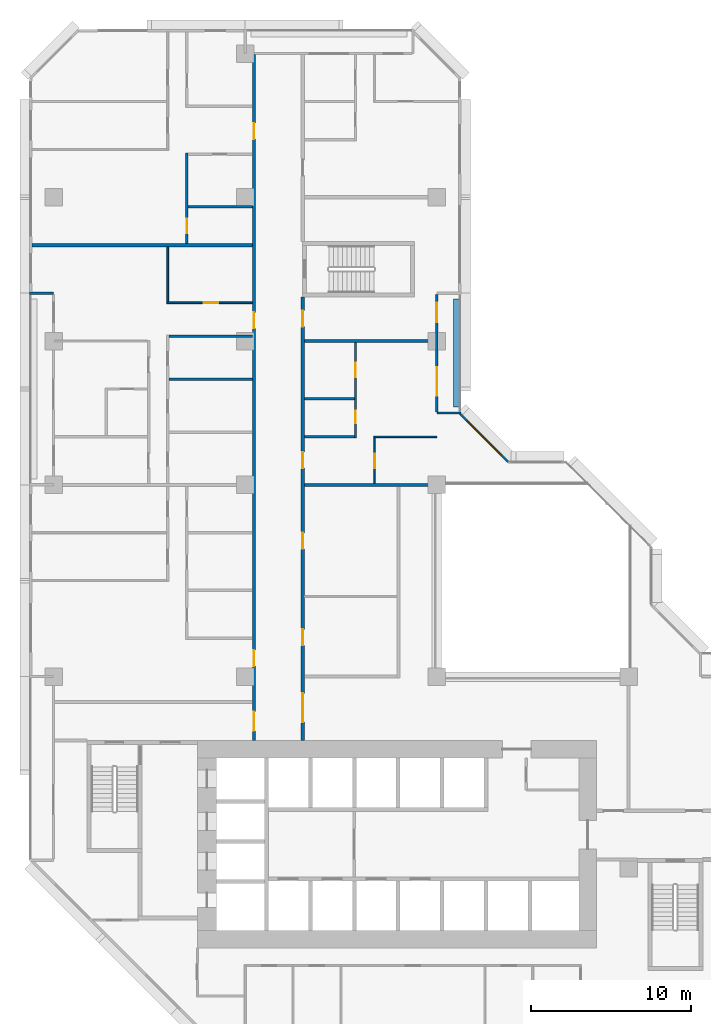
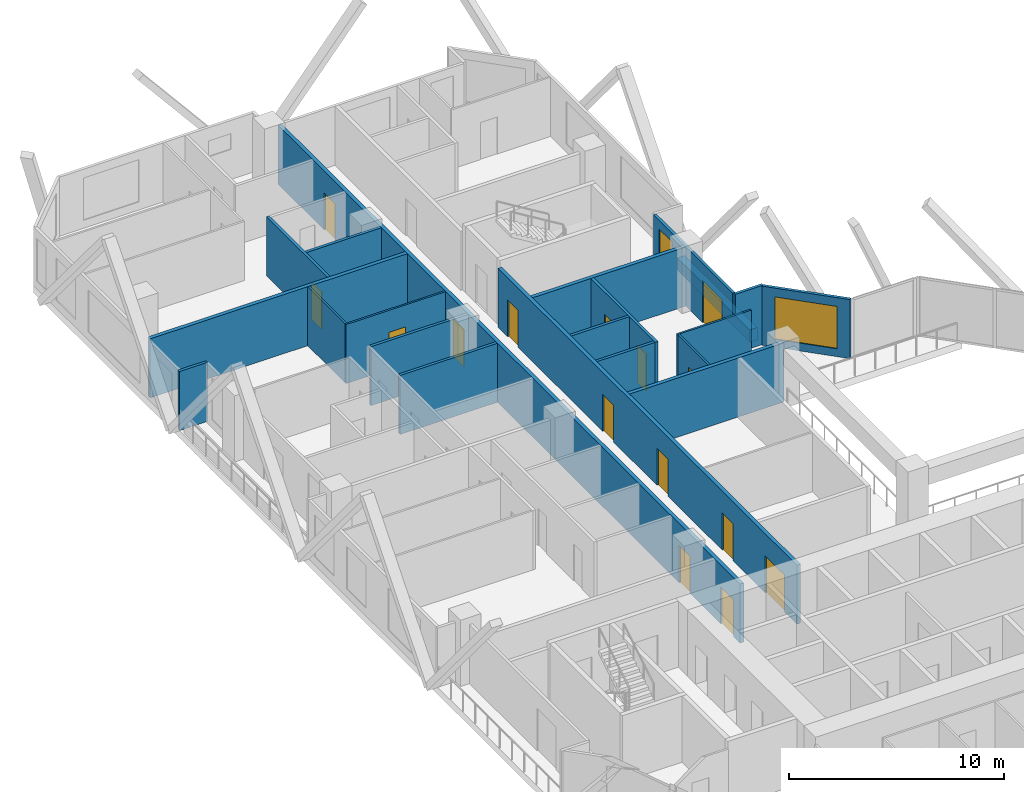
# One storey, part 9 of 15: 21 walls, 15 doors, 2 windows, 17 openings.
"""IFC4 building model written with IfcOpenShell, lengths in metres."""

from ifc_helpers import new_model, si_unit, direction, frame, frame_2d, origin, place, context, subcontext, project, spatial, rectangle, extrude, material, layer, layer_set, type_object, element, fill, save


model = new_model("IFC4")

# Units and contexts
model_context = context("Model", 3, precision=1e-05, world=origin(), true_north=direction((0.0, 1.0)))
body_context = subcontext(model_context, "Body", "Model", "MODEL_VIEW")
ifc_project = project(units=[si_unit("LENGTHUNIT", "METRE"), si_unit("AREAUNIT", "SQUARE_METRE"), si_unit("VOLUMEUNIT", "CUBIC_METRE"), si_unit("PLANEANGLEUNIT", "RADIAN"), si_unit("MASSUNIT", "GRAM", prefix="KILO")], contexts=[model_context])

# Site, building, storey
site_placement = place(None, origin())
site = spatial("IfcSite", under=ifc_project, at=site_placement, CompositionType="ELEMENT")
building_placement = place(site_placement, origin())
building = spatial("IfcBuilding", under=site, at=building_placement, Name="Chenar Terraces", CompositionType="ELEMENT")
storey_placement = place(building_placement, frame((0.0, 0.0, 41.39990234375)))
storey = spatial("IfcBuildingStorey", under=building, at=storey_placement, Name="L07", CompositionType="ELEMENT", Elevation=41.39990234375)

# Wall, openings, doors
ifc_material_1 = material(Name="Gypsum board on steel studs with fire boards", Category="steel")
ifc_layer_1 = layer(ifc_material_1, 0.199951171875)
ifc_layer_set_1 = layer_set([ifc_layer_1], Name="Gypsum board on steel studs with fire boards")
wall_type_1 = type_object("IfcWallType", Name="Corridor wall 200", PredefinedType="PARTITIONING", material=ifc_layer_set_1)
wall_1_placement = place(storey_placement, frame((12.550048828125, 20.0, 0.0), z_axis=(0.0, 0.0, 1.0), x_axis=(0.0, 1.0, 0.0)))
wall_1 = element("IfcWall", 1, at=wall_1_placement, inside=storey, type_object=wall_type_1, Name="Partition L07-036", PredefinedType="PARTITIONING", context=body_context, shape_type="SweptSolid", body=[
    extrude(rectangle(XDim=42.926025390625, YDim=0.199951171875, at=frame_2d((21.462890625, 0.0))), origin(), (0.0, 0.0, 1.0), 3.35009765625),
])
opening_1_placement = place(wall_1_placement, frame((25.800048828125, 0.0, 0.0)))
opening_1 = element("IfcOpeningElement", 2, at=opening_1_placement, cuts=wall_1, Name="Opening DL07-40", PredefinedType="OPENING", context=body_context, shape_type="SweptSolid", body=[
    extrude(rectangle(XDim=1.0, YDim=2.10009765625, at=frame_2d((0.5, 1.050048828125))), frame((0.0, 0.10986328125, 0.0), z_axis=(0.0, -1.0, 0.0), x_axis=(1.0, 0.0, 0.0)), (0.0, 0.0, 1.0), 0.219970703125),
])
opening_2_placement = place(wall_1_placement, frame((37.64990234375, 0.0, 0.0)))
opening_2 = element("IfcOpeningElement", 3, at=opening_2_placement, cuts=wall_1, Name="Opening DL07-46", PredefinedType="OPENING", context=body_context, shape_type="SweptSolid", body=[
    extrude(rectangle(XDim=1.0, YDim=2.10009765625, at=frame_2d((0.5, 1.050048828125))), frame((0.0, 0.10986328125, 0.0), z_axis=(0.0, -1.0, 0.0), x_axis=(1.0, 0.0, 0.0)), (0.0, 0.0, 1.0), 0.219970703125),
])
opening_3_placement = place(wall_1_placement, frame((0.60009765625, 0.0, 0.0)))
opening_3 = element("IfcOpeningElement", 4, at=opening_3_placement, cuts=wall_1, Name="Opening DL07-49", PredefinedType="OPENING", context=body_context, shape_type="SweptSolid", body=[
    extrude(rectangle(XDim=1.199951171875, YDim=2.10009765625, at=frame_2d((0.60009765625, 1.050048828125))), frame((0.0, 0.10986328125, 0.0), z_axis=(0.0, -1.0, 0.0), x_axis=(1.0, 0.0, 0.0)), (0.0, 0.0, 1.0), 0.219970703125),
])
opening_4_placement = place(wall_1_placement, frame((4.64990234375, 0.0, 0.0)))
opening_4 = element("IfcOpeningElement", 5, at=opening_4_placement, cuts=wall_1, Name="Opening DL07-69", PredefinedType="OPENING", context=body_context, shape_type="SweptSolid", body=[
    extrude(rectangle(XDim=1.0, YDim=2.10009765625, at=frame_2d((0.5, 1.050048828125))), frame((0.0, 0.10986328125, 0.0), z_axis=(0.0, -1.0, 0.0), x_axis=(1.0, 0.0, 0.0)), (0.0, 0.0, 1.0), 0.219970703125),
])
ifc_material_2 = material(Name="Steel-framed fire-resisting door leaf", Category="steel")
door_type_1 = type_object("IfcDoorType", Name="Fire door FD30S 1000 x 2100", OperationType="SINGLE_SWING_LEFT", PredefinedType="DOOR", material=ifc_material_2)
door_1_placement = place(opening_1_placement, origin())
door_1 = element("IfcDoor", 6, at=door_1_placement, inside=storey, type_object=door_type_1, Name="Door DL07-40", OperationType="SINGLE_SWING_LEFT", OverallHeight=2.10009765625, OverallWidth=1.0, PredefinedType="DOOR", context=body_context, shape_type="SweptSolid", body=[
    extrude(rectangle(XDim=1.0, YDim=2.10009765625, at=frame_2d((0.5, 1.050048828125))), frame((0.0, 0.02490234375, 0.0), z_axis=(0.0, -1.0, 0.0), x_axis=(1.0, 0.0, 0.0)), (0.0, 0.0, 1.0), 0.050048828125),
])
fill(opening_1, door_1)
door_2_placement = place(opening_2_placement, origin())
door_2 = element("IfcDoor", 7, at=door_2_placement, inside=storey, type_object=door_type_1, Name="Door DL07-46", OperationType="SINGLE_SWING_LEFT", OverallHeight=2.10009765625, OverallWidth=1.0, PredefinedType="DOOR", context=body_context, shape_type="SweptSolid", body=[
    extrude(rectangle(XDim=1.0, YDim=2.10009765625, at=frame_2d((0.5, 1.050048828125))), frame((0.0, 0.02490234375, 0.0), z_axis=(0.0, -1.0, 0.0), x_axis=(1.0, 0.0, 0.0)), (0.0, 0.0, 1.0), 0.050048828125),
])
fill(opening_2, door_2)
door_3_placement = place(opening_4_placement, origin())
door_3 = element("IfcDoor", 8, at=door_3_placement, inside=storey, type_object=door_type_1, Name="Door DL07-69", OperationType="SINGLE_SWING_LEFT", OverallHeight=2.10009765625, OverallWidth=1.0, PredefinedType="DOOR", context=body_context, shape_type="SweptSolid", body=[
    extrude(rectangle(XDim=1.0, YDim=2.10009765625, at=frame_2d((0.5, 1.050048828125))), frame((0.0, 0.02490234375, 0.0), z_axis=(0.0, -1.0, 0.0), x_axis=(1.0, 0.0, 0.0)), (0.0, 0.0, 1.0), 0.050048828125),
])
fill(opening_4, door_3)
ifc_material_3 = material(Name="Steel-framed fire-resisting door leaf", Category="steel")
door_type_2 = type_object("IfcDoorType", Name="Fire door FD30S 1200 x 2100", OperationType="SINGLE_SWING_LEFT", PredefinedType="DOOR", material=ifc_material_3)
door_4_placement = place(opening_3_placement, origin())
door_4 = element("IfcDoor", 9, at=door_4_placement, inside=storey, type_object=door_type_2, Name="Door DL07-49", OperationType="SINGLE_SWING_RIGHT", OverallHeight=2.10009765625, OverallWidth=1.199951171875, PredefinedType="DOOR", context=body_context, shape_type="SweptSolid", body=[
    extrude(rectangle(XDim=1.199951171875, YDim=2.10009765625, at=frame_2d((0.60009765625, 1.050048828125))), frame((0.0, 0.02490234375, 0.0), z_axis=(0.0, -1.0, 0.0), x_axis=(1.0, 0.0, 0.0)), (0.0, 0.0, 1.0), 0.050048828125),
])
fill(opening_3, door_4)

wall_2_placement = place(storey_placement, frame((15.60009765625, 20.0, 0.0), z_axis=(0.0, 0.0, 1.0), x_axis=(0.0, 1.0, 0.0)))
wall_2 = element("IfcWall", 10, at=wall_2_placement, inside=storey, type_object=wall_type_1, Name="Partition L07-038", PredefinedType="PARTITIONING", context=body_context, shape_type="SweptSolid", body=[
    extrude(rectangle(XDim=27.77490234375, YDim=0.199951171875, at=frame_2d((13.887451171875, 0.0))), origin(), (0.0, 0.0, 1.0), 3.35009765625),
])
opening_5_placement = place(wall_2_placement, frame((5.949951171875, 0.0, 0.0)))
opening_5 = element("IfcOpeningElement", 11, at=opening_5_placement, cuts=wall_2, Name="Opening DL07-1", PredefinedType="OPENING", context=body_context, shape_type="SweptSolid", body=[
    extrude(rectangle(XDim=1.0, YDim=2.10009765625, at=frame_2d((0.5, 1.050048828125))), frame((0.0, 0.10986328125, 0.0), z_axis=(0.0, -1.0, 0.0), x_axis=(1.0, 0.0, 0.0)), (0.0, 0.0, 1.0), 0.219970703125),
])
opening_6_placement = place(wall_2_placement, frame((12.0, 0.0, 0.0)))
opening_6 = element("IfcOpeningElement", 12, at=opening_6_placement, cuts=wall_2, Name="Opening DL07-2", PredefinedType="OPENING", context=body_context, shape_type="SweptSolid", body=[
    extrude(rectangle(XDim=1.0, YDim=2.10009765625, at=frame_2d((0.5, 1.050048828125))), frame((0.0, 0.10986328125, 0.0), z_axis=(0.0, -1.0, 0.0), x_axis=(1.0, 0.0, 0.0)), (0.0, 0.0, 1.0), 0.219970703125),
])
opening_7_placement = place(wall_2_placement, frame((17.050048828125, 0.0, 0.0)))
opening_7 = element("IfcOpeningElement", 13, at=opening_7_placement, cuts=wall_2, Name="Opening DL07-28", PredefinedType="OPENING", context=body_context, shape_type="SweptSolid", body=[
    extrude(rectangle(XDim=1.0, YDim=2.10009765625, at=frame_2d((0.5, 1.050048828125))), frame((0.0, 0.10986328125, 0.0), z_axis=(0.0, -1.0, 0.0), x_axis=(1.0, 0.0, 0.0)), (0.0, 0.0, 1.0), 0.219970703125),
])
opening_8_placement = place(wall_2_placement, frame((1.14990234375, 0.0, 0.0)))
opening_8 = element("IfcOpeningElement", 14, at=opening_8_placement, cuts=wall_2, Name="Opening DL07-48", PredefinedType="OPENING", context=body_context, shape_type="SweptSolid", body=[
    extrude(rectangle(XDim=1.800048828125, YDim=2.10009765625, at=frame_2d((0.89990234375, 1.050048828125))), frame((0.0, 0.10986328125, 0.0), z_axis=(0.0, -1.0, 0.0), x_axis=(1.0, 0.0, 0.0)), (0.0, 0.0, 1.0), 0.219970703125),
])
opening_9_placement = place(wall_2_placement, frame((25.89990234375, 0.0, 0.0)))
opening_9 = element("IfcOpeningElement", 15, at=opening_9_placement, cuts=wall_2, Name="Opening DL07-51", PredefinedType="OPENING", context=body_context, shape_type="SweptSolid", body=[
    extrude(rectangle(XDim=1.0, YDim=2.10009765625, at=frame_2d((0.5, 1.050048828125))), frame((0.0, 0.10986328125, 0.0), z_axis=(0.0, -1.0, 0.0), x_axis=(1.0, 0.0, 0.0)), (0.0, 0.0, 1.0), 0.219970703125),
])
ifc_material_4 = material(Name="Steel-framed fire-resisting door leaf", Category="steel")
door_type_3 = type_object("IfcDoorType", Name="Fire door FD60 1000 x 2100", OperationType="SINGLE_SWING_LEFT", PredefinedType="DOOR", material=ifc_material_4)
door_5_placement = place(opening_5_placement, frame((1.0, 0.0, 0.0), z_axis=(0.0, 0.0, 1.0), x_axis=(-1.0, 0.0, 0.0)))
door_5 = element("IfcDoor", 16, at=door_5_placement, inside=storey, type_object=door_type_3, Name="Door DL07-1", OperationType="SINGLE_SWING_LEFT", OverallHeight=2.10009765625, OverallWidth=1.0, PredefinedType="DOOR", context=body_context, shape_type="SweptSolid", body=[
    extrude(rectangle(XDim=1.0, YDim=2.10009765625, at=frame_2d((0.5, 1.050048828125))), frame((0.0, 0.02490234375, 0.0), z_axis=(0.0, -1.0, 0.0), x_axis=(1.0, 0.0, 0.0)), (0.0, 0.0, 1.0), 0.050048828125),
])
fill(opening_5, door_5)
door_6_placement = place(opening_6_placement, frame((1.0, 0.0, 0.0), z_axis=(0.0, 0.0, 1.0), x_axis=(-1.0, 0.0, 0.0)))
door_6 = element("IfcDoor", 17, at=door_6_placement, inside=storey, type_object=door_type_3, Name="Door DL07-2", OperationType="SINGLE_SWING_LEFT", OverallHeight=2.10009765625, OverallWidth=1.0, PredefinedType="DOOR", context=body_context, shape_type="SweptSolid", body=[
    extrude(rectangle(XDim=1.0, YDim=2.10009765625, at=frame_2d((0.5, 1.050048828125))), frame((0.0, 0.02490234375, 0.0), z_axis=(0.0, -1.0, 0.0), x_axis=(1.0, 0.0, 0.0)), (0.0, 0.0, 1.0), 0.050048828125),
])
fill(opening_6, door_6)
door_7_placement = place(opening_7_placement, frame((1.0, 0.0, 0.0), z_axis=(0.0, 0.0, 1.0), x_axis=(-1.0, 0.0, 0.0)))
door_7 = element("IfcDoor", 18, at=door_7_placement, inside=storey, type_object=door_type_3, Name="Door DL07-28", OperationType="SINGLE_SWING_LEFT", OverallHeight=2.10009765625, OverallWidth=1.0, PredefinedType="DOOR", context=body_context, shape_type="SweptSolid", body=[
    extrude(rectangle(XDim=1.0, YDim=2.10009765625, at=frame_2d((0.5, 1.050048828125))), frame((0.0, 0.02490234375, 0.0), z_axis=(0.0, -1.0, 0.0), x_axis=(1.0, 0.0, 0.0)), (0.0, 0.0, 1.0), 0.050048828125),
])
fill(opening_7, door_7)
door_8_placement = place(opening_9_placement, frame((1.0, 0.0, 0.0), z_axis=(0.0, 0.0, 1.0), x_axis=(-1.0, 0.0, 0.0)))
door_8 = element("IfcDoor", 19, at=door_8_placement, inside=storey, type_object=door_type_3, Name="Door DL07-51", OperationType="SINGLE_SWING_RIGHT", OverallHeight=2.10009765625, OverallWidth=1.0, PredefinedType="DOOR", context=body_context, shape_type="SweptSolid", body=[
    extrude(rectangle(XDim=1.0, YDim=2.10009765625, at=frame_2d((0.5, 1.050048828125))), frame((0.0, 0.02490234375, 0.0), z_axis=(0.0, -1.0, 0.0), x_axis=(1.0, 0.0, 0.0)), (0.0, 0.0, 1.0), 0.050048828125),
])
fill(opening_9, door_8)
ifc_material_5 = material(Name="Steel-framed fire-resisting door leaf", Category="steel")
door_type_4 = type_object("IfcDoorType", Name="Fire double door FD60 1800 x 2100", OperationType="DOUBLE_DOOR_SINGLE_SWING", PredefinedType="DOOR", material=ifc_material_5)
door_9_placement = place(opening_8_placement, frame((1.800048828125, 0.0, 0.0), z_axis=(0.0, 0.0, 1.0), x_axis=(-1.0, 0.0, 0.0)))
door_9 = element("IfcDoor", 20, at=door_9_placement, inside=storey, type_object=door_type_4, Name="Door DL07-48", OperationType="DOUBLE_DOOR_SINGLE_SWING", OverallHeight=2.10009765625, OverallWidth=1.800048828125, PredefinedType="DOOR", context=body_context, shape_type="SweptSolid", body=[
    extrude(rectangle(XDim=1.800048828125, YDim=2.10009765625, at=frame_2d((0.89990234375, 1.050048828125))), frame((0.0, 0.02490234375, 0.0), z_axis=(0.0, -1.0, 0.0), x_axis=(1.0, 0.0, 0.0)), (0.0, 0.0, 1.0), 0.050048828125),
])
fill(opening_8, door_9)

# Wall, openings, window, door
ifc_material_6 = material(Name="Aluminium framed glazing", Category="aluminium")
ifc_layer_2 = layer(ifc_material_6, 0.14990234375)
ifc_layer_set_2 = layer_set([ifc_layer_2], Name="Aluminium framed glazing")
wall_type_2 = type_object("IfcWallType", Name="Glazed loggia back wall 150", PredefinedType="SOLIDWALL", material=ifc_layer_set_2)
wall_3_placement = place(storey_placement, frame((24.0, 40.574951171875, 0.0), z_axis=(0.0, 0.0, 1.0), x_axis=(0.0, 1.0, 0.0)))
wall_3 = element("IfcWall", 21, at=wall_3_placement, inside=storey, type_object=wall_type_2, Name="Glazed loggia back wall", PredefinedType="SOLIDWALL", context=body_context, shape_type="SweptSolid", body=[
    extrude(rectangle(XDim=7.35009765625, YDim=0.14990234375, at=frame_2d((3.675048828125, 0.0))), origin(), (0.0, 0.0, 1.0), 3.35009765625),
])
opening_10_placement = place(wall_3_placement, frame((0.987548828125, 0.0, 0.0)))
opening_10 = element("IfcOpeningElement", 22, at=opening_10_placement, cuts=wall_3, Name="Opening DL07-G3", PredefinedType="OPENING", context=body_context, shape_type="SweptSolid", body=[
    extrude(rectangle(XDim=1.800048828125, YDim=2.39990234375, at=frame_2d((0.89990234375, 1.199951171875))), frame((0.0, 0.0849609375, 0.0), z_axis=(0.0, -1.0, 0.0), x_axis=(1.0, 0.0, 0.0)), (0.0, 0.0, 1.0), 0.169921875),
])
opening_11_placement = place(wall_3_placement, frame((5.612548828125, 0.0, 0.449951171875)))
opening_11 = element("IfcOpeningElement", 23, at=opening_11_placement, cuts=wall_3, Name="Opening W120x240", PredefinedType="OPENING", context=body_context, shape_type="SweptSolid", body=[
    extrude(rectangle(XDim=1.199951171875, YDim=2.39990234375, at=frame_2d((0.60009765625, 1.199951171875))), frame((0.0, 0.0849609375, 0.0), z_axis=(0.0, -1.0, 0.0), x_axis=(1.0, 0.0, 0.0)), (0.0, 0.0, 1.0), 0.169921875),
])
ifc_material_7 = material(Name="Low emissivity double glazing, aluminium frame", Category="aluminium")
window_type_1 = type_object("IfcWindowType", Name="Fixed light 1200 x 2400", PartitioningType="SINGLE_PANEL", PredefinedType="WINDOW", material=ifc_material_7)
window_1_placement = place(opening_11_placement, origin())
window_1 = element("IfcWindow", 24, at=window_1_placement, inside=storey, type_object=window_type_1, Name="Window", OverallHeight=2.39990234375, OverallWidth=1.199951171875, PartitioningType="SINGLE_PANEL", PredefinedType="WINDOW", context=body_context, shape_type="SweptSolid", body=[
    extrude(rectangle(XDim=1.199951171875, YDim=2.39990234375, at=frame_2d((0.60009765625, 1.199951171875))), frame((0.0, 0.030029296875, 0.0), z_axis=(0.0, -1.0, 0.0), x_axis=(1.0, 0.0, 0.0)), (0.0, 0.0, 1.0), 0.06005859375),
])
fill(opening_11, window_1)
ifc_material_8 = material(Name="Low emissivity double glazing, aluminium frame", Category="aluminium")
door_type_5 = type_object("IfcDoorType", Name="Loggia glazed double door 1800 x 2400", OperationType="DOUBLE_DOOR_SINGLE_SWING", PredefinedType="DOOR", material=ifc_material_8)
door_10_placement = place(opening_10_placement, frame((1.800048828125, 0.0, 0.0), z_axis=(0.0, 0.0, 1.0), x_axis=(-1.0, 0.0, 0.0)))
door_10 = element("IfcDoor", 25, at=door_10_placement, inside=storey, type_object=door_type_5, Name="Loggia glazed door", OperationType="DOUBLE_DOOR_SINGLE_SWING", OverallHeight=2.39990234375, OverallWidth=1.800048828125, PredefinedType="DOOR", context=body_context, shape_type="SweptSolid", body=[
    extrude(rectangle(XDim=1.800048828125, YDim=2.39990234375, at=frame_2d((0.89990234375, 1.199951171875))), frame((0.0, 0.02490234375, 0.0), z_axis=(0.0, -1.0, 0.0), x_axis=(1.0, 0.0, 0.0)), (0.0, 0.0, 1.0), 0.050048828125),
])
fill(opening_10, door_10)

# Wall, opening, door
ifc_material_9 = material(Name="Gypsum board on steel studs", Category="steel")
ifc_layer_3 = layer(ifc_material_9, 0.10009765625)
ifc_layer_set_3 = layer_set([ifc_layer_3], Name="Gypsum board on steel studs")
wall_type_3 = type_object("IfcWallType", Name="Gypsum partition 100", PredefinedType="PARTITIONING", material=ifc_layer_set_3)
wall_4_placement = place(storey_placement, frame((7.10009765625, 47.39990234375, 0.0), z_axis=(0.0, 0.0, 1.0), x_axis=(1.0, 0.0, 0.0)))
wall_4 = element("IfcWall", 26, at=wall_4_placement, inside=storey, type_object=wall_type_3, Name="Partition L07-015", PredefinedType="PARTITIONING", context=body_context, shape_type="SweptSolid", body=[
    extrude(rectangle(XDim=5.349853515625, YDim=0.10009765625, at=frame_2d((2.6748046875, 0.0))), origin(), (0.0, 0.0, 1.0), 3.35009765625),
])
opening_12_placement = place(wall_4_placement, frame((2.300048828125, 0.0, 0.0)))
opening_12 = element("IfcOpeningElement", 27, at=opening_12_placement, cuts=wall_4, Name="Opening DL07-37", PredefinedType="OPENING", context=body_context, shape_type="SweptSolid", body=[
    extrude(rectangle(XDim=0.89990234375, YDim=2.10009765625, at=frame_2d((0.449951171875, 1.050048828125))), frame((0.0, 0.06005859375, 0.0), z_axis=(0.0, -1.0, 0.0), x_axis=(1.0, 0.0, 0.0)), (0.0, 0.0, 1.0), 0.1201171875),
])
ifc_material_10 = material(Name="Veneered timber door leaf", Category="wood")
door_type_6 = type_object("IfcDoorType", Name="Door 900 x 2100", OperationType="SINGLE_SWING_LEFT", PredefinedType="DOOR", material=ifc_material_10)
door_11_placement = place(opening_12_placement, origin())
door_11 = element("IfcDoor", 28, at=door_11_placement, inside=storey, type_object=door_type_6, Name="Door DL07-37", OperationType="SINGLE_SWING_LEFT", OverallHeight=2.10009765625, OverallWidth=0.89990234375, PredefinedType="DOOR", context=body_context, shape_type="SweptSolid", body=[
    extrude(rectangle(XDim=0.89990234375, YDim=2.10009765625, at=frame_2d((0.449951171875, 1.050048828125))), frame((0.0, 0.02490234375, 0.0), z_axis=(0.0, -1.0, 0.0), x_axis=(1.0, 0.0, 0.0)), (0.0, 0.0, 1.0), 0.050048828125),
])
fill(opening_12, door_11)

# Walls
wall_5_placement = place(storey_placement, frame((7.14990234375, 47.449951171875, 0.0), z_axis=(0.0, 0.0, 1.0), x_axis=(0.0, 1.0, 0.0)))
element("IfcWall", 29, at=wall_5_placement, inside=storey, type_object=wall_type_3, Name="Partition L07-018", PredefinedType="PARTITIONING", context=body_context, shape_type="SweptSolid", body=[
    extrude(rectangle(XDim=3.449951171875, YDim=0.10009765625, at=frame_2d((1.72509765625, 0.0))), origin(), (0.0, 0.0, 1.0), 3.35009765625),
])
wall_6_placement = place(storey_placement, frame((20.050048828125, 39.0, 0.0), z_axis=(0.0, 0.0, 1.0), x_axis=(1.0, 0.0, 0.0)))
element("IfcWall", 30, at=wall_6_placement, inside=storey, type_object=wall_type_3, Name="Partition L07-052", PredefinedType="PARTITIONING", context=body_context, shape_type="SweptSolid", body=[
    extrude(rectangle(XDim=3.949951171875, YDim=0.10009765625, at=frame_2d((1.97509765625, 0.0))), origin(), (0.0, 0.0, 1.0), 3.35009765625),
])

# Wall, opening, door
wall_7_placement = place(storey_placement, frame((20.10009765625, 36.10009765625, 0.0), z_axis=(0.0, 0.0, 1.0), x_axis=(0.0, 1.0, 0.0)))
wall_7 = element("IfcWall", 31, at=wall_7_placement, inside=storey, type_object=wall_type_3, Name="Partition L07-054", PredefinedType="PARTITIONING", context=body_context, shape_type="SweptSolid", body=[
    extrude(rectangle(XDim=2.849853515625, YDim=0.10009765625, at=frame_2d((1.4248046875, 0.0))), origin(), (0.0, 0.0, 1.0), 3.35009765625),
])
opening_13_placement = place(wall_7_placement, frame((0.949951171875, 0.0, 0.0)))
opening_13 = element("IfcOpeningElement", 32, at=opening_13_placement, cuts=wall_7, Name="Opening DL07-26", PredefinedType="OPENING", context=body_context, shape_type="SweptSolid", body=[
    extrude(rectangle(XDim=0.89990234375, YDim=2.10009765625, at=frame_2d((0.449951171875, 1.050048828125))), frame((0.0, 0.06005859375, 0.0), z_axis=(0.0, -1.0, 0.0), x_axis=(1.0, 0.0, 0.0)), (0.0, 0.0, 1.0), 0.1201171875),
])
door_12_placement = place(opening_13_placement, frame((0.89990234375, 0.0, 0.0), z_axis=(0.0, 0.0, 1.0), x_axis=(-1.0, 0.0, 0.0)))
door_12 = element("IfcDoor", 33, at=door_12_placement, inside=storey, type_object=door_type_6, Name="Door DL07-26", OperationType="SINGLE_SWING_LEFT", OverallHeight=2.10009765625, OverallWidth=0.89990234375, PredefinedType="DOOR", context=body_context, shape_type="SweptSolid", body=[
    extrude(rectangle(XDim=0.89990234375, YDim=2.10009765625, at=frame_2d((0.449951171875, 1.050048828125))), frame((0.0, 0.02490234375, 0.0), z_axis=(0.0, -1.0, 0.0), x_axis=(1.0, 0.0, 0.0)), (0.0, 0.0, 1.0), 0.050048828125),
])
fill(opening_13, door_12)

# Walls
ifc_material_11 = material(Name="Terracotta cladding on insulated backing", Category="masonry")
ifc_layer_4 = layer(ifc_material_11, 0.14990234375)
ifc_layer_set_4 = layer_set([ifc_layer_4], Name="Terracotta cladding on insulated backing")
wall_type_4 = type_object("IfcWallType", Name="Loggia return wall 150", PredefinedType="SOLIDWALL", material=ifc_layer_set_4)
for number, where, z_axis, x_axis, name in (
    (34, (25.5, 40.5, 0.0), (0.0, 0.0, 1.0), (-1.0, 0.0, 0.0), "Loggia return wall"),
    (35, (-1.5, 48.0, 0.0), (0.0, 0.0, 1.0), (1.0, 0.0, 0.0), "Loggia return wall"),
):
    element("IfcWall", number, at=place(storey_placement, frame(where, z_axis=z_axis, x_axis=x_axis)), inside=storey, type_object=wall_type_4, Name=name, PredefinedType="SOLIDWALL", context=body_context, shape_type="SweptSolid", body=[
        extrude(rectangle(XDim=1.5, YDim=0.14990234375, at=frame_2d((0.75, 0.0))), origin(), (0.0, 0.0, 1.0), 3.35009765625),
    ])

# Wall, opening, window
ifc_material_12 = material(Name="Terracotta cladding on insulated backing", Category="masonry")
ifc_layer_5 = layer(ifc_material_12, 0.14990234375)
ifc_layer_set_5 = layer_set([ifc_layer_5], Name="Terracotta cladding on insulated backing")
wall_type_5 = type_object("IfcWallType", Name="Terracotta rainscreen wall 150", PredefinedType="SOLIDWALL", material=ifc_layer_set_5)
wall_8_placement = place(storey_placement, frame((28.447021484375, 37.447021484375, 0.0), z_axis=(0.0, 0.0, 1.0), x_axis=(-0.707106781187, 0.707106781187, 0.0)))
wall_8 = element("IfcWall", 36, at=wall_8_placement, inside=storey, type_object=wall_type_5, Name="Terracotta rainscreen wall", PredefinedType="SOLIDWALL", context=body_context, shape_type="SweptSolid", body=[
    extrude(rectangle(XDim=4.24267578125, YDim=0.14990234375, at=frame_2d((2.121337890625, 0.0))), origin(), (0.0, 0.0, 1.0), 3.35009765625),
])
opening_14_placement = place(wall_8_placement, frame((0.621337890625, 0.0, 0.449951171875)))
opening_14 = element("IfcOpeningElement", 37, at=opening_14_placement, cuts=wall_8, Name="Opening W300x240", PredefinedType="OPENING", context=body_context, shape_type="SweptSolid", body=[
    extrude(rectangle(XDim=3.0, YDim=2.39990234375, at=frame_2d((1.5, 1.199951171875))), frame((0.0, 0.0849609375, 0.0), z_axis=(0.0, -1.0, 0.0), x_axis=(1.0, 0.0, 0.0)), (0.0, 0.0, 1.0), 0.169921875),
])
ifc_material_13 = material(Name="Low emissivity double glazing, aluminium frame", Category="aluminium")
window_type_2 = type_object("IfcWindowType", Name="Fixed light 3000 x 2400", PartitioningType="SINGLE_PANEL", PredefinedType="WINDOW", material=ifc_material_13)
window_2_placement = place(opening_14_placement, origin())
window_2 = element("IfcWindow", 38, at=window_2_placement, inside=storey, type_object=window_type_2, Name="Window", OverallHeight=2.39990234375, OverallWidth=3.0, PartitioningType="SINGLE_PANEL", PredefinedType="WINDOW", context=body_context, shape_type="SweptSolid", body=[
    extrude(rectangle(XDim=3.0, YDim=2.39990234375, at=frame_2d((1.5, 1.199951171875))), frame((0.0, 0.030029296875, 0.0), z_axis=(0.0, -1.0, 0.0), x_axis=(1.0, 0.0, 0.0)), (0.0, 0.0, 1.0), 0.06005859375),
])
fill(opening_14, window_2)

# Walls
ifc_material_14 = material(Name="Twin gypsum board on steel studs with mineral wool", Category="steel")
ifc_layer_6 = layer(ifc_material_14, 0.199951171875)
ifc_layer_set_6 = layer_set([ifc_layer_6], Name="Twin gypsum board on steel studs with mineral wool")
wall_type_6 = type_object("IfcWallType", Name="Unit demising wall 200", PredefinedType="PARTITIONING", material=ifc_layer_set_6)
wall_9_placement = place(storey_placement, frame((-1.35009765625, 51.0, 0.0), z_axis=(0.0, 0.0, 1.0), x_axis=(1.0, 0.0, 0.0)))
element("IfcWall", 39, at=wall_9_placement, inside=storey, type_object=wall_type_6, Name="Partition L07-005", PredefinedType="PARTITIONING", context=body_context, shape_type="SweptSolid", body=[
    extrude(rectangle(XDim=13.800048828125, YDim=0.199951171875, at=frame_2d((6.89990234375, 0.0))), origin(), (0.0, 0.0, 1.0), 3.35009765625),
])
wall_10_placement = place(storey_placement, frame((15.699951171875, 36.0, 0.0), z_axis=(0.0, 0.0, 1.0), x_axis=(1.0, 0.0, 0.0)))
element("IfcWall", 40, at=wall_10_placement, inside=storey, type_object=wall_type_6, Name="Partition L07-042", PredefinedType="PARTITIONING", context=body_context, shape_type="SweptSolid", body=[
    extrude(rectangle(XDim=8.300048828125, YDim=0.199951171875, at=frame_2d((4.14990234375, 0.0))), origin(), (0.0, 0.0, 1.0), 3.35009765625),
])
wall_11_placement = place(storey_placement, frame((15.699951171875, 45.0, 0.0), z_axis=(0.0, 0.0, 1.0), x_axis=(1.0, 0.0, 0.0)))
element("IfcWall", 41, at=wall_11_placement, inside=storey, type_object=wall_type_6, Name="Partition L07-045", PredefinedType="PARTITIONING", context=body_context, shape_type="SweptSolid", body=[
    extrude(rectangle(XDim=8.22607421875, YDim=0.199951171875, at=frame_2d((4.113037109375, 0.0))), origin(), (0.0, 0.0, 1.0), 3.35009765625),
])
ifc_material_15 = material(Name="GRP planter trough")
ifc_layer_7 = layer(ifc_material_15, 0.39990234375)
ifc_layer_set_7 = layer_set([ifc_layer_7], Name="GRP planter trough")
wall_type_7 = type_object("IfcWallType", Name="Vertical greenery planter 400", PredefinedType="SOLIDWALL", material=ifc_layer_set_7)
wall_12_placement = place(storey_placement, frame((25.22900390625, 40.875, 0.0), z_axis=(0.0, 0.0, 1.0), x_axis=(0.0, 1.0, 0.0)))
element("IfcWall", 42, at=wall_12_placement, inside=storey, type_object=wall_type_7, Name="Vertical greenery planter", PredefinedType="SOLIDWALL", context=body_context, shape_type="SweptSolid", body=[
    extrude(rectangle(XDim=6.75, YDim=0.39990234375, at=frame_2d((3.375, 0.0))), origin(), (0.0, 0.0, 1.0), 0.7001953125),
])
ifc_material_16 = material(Name="Moisture-resistant gypsum board on steel studs", Category="steel")
ifc_layer_8 = layer(ifc_material_16, 0.14990234375)
ifc_layer_set_8 = layer_set([ifc_layer_8], Name="Moisture-resistant gypsum board on steel studs")
wall_type_8 = type_object("IfcWallType", Name="Wet-room partition 150", PredefinedType="PARTITIONING", material=ifc_layer_set_8)
for number, where, z_axis, x_axis, name in (
    (43, (7.22509765625, 42.60009765625, 0.0), (0.0, 0.0, 1.0), (1.0, 0.0, 0.0), "Partition L07-021"),
    (44, (7.22509765625, 45.300048828125, 0.0), (0.0, 0.0, 1.0), (1.0, 0.0, 0.0), "Partition L07-022"),
):
    element("IfcWall", number, at=place(storey_placement, frame(where, z_axis=z_axis, x_axis=x_axis)), inside=storey, type_object=wall_type_8, Name=name, PredefinedType="PARTITIONING", context=body_context, shape_type="SweptSolid", body=[
        extrude(rectangle(XDim=5.224853515625, YDim=0.14990234375, at=frame_2d((2.6123046875, 0.0))), origin(), (0.0, 0.0, 1.0), 3.35009765625),
    ])

# Wall, opening, door
wall_13_placement = place(storey_placement, frame((8.35009765625, 51.10009765625, 0.0), z_axis=(0.0, 0.0, 1.0), x_axis=(0.0, 1.0, 0.0)))
wall_13 = element("IfcWall", 45, at=wall_13_placement, inside=storey, type_object=wall_type_8, Name="Partition L07-025", PredefinedType="PARTITIONING", context=body_context, shape_type="SweptSolid", body=[
    extrude(rectangle(XDim=5.6748046875, YDim=0.14990234375, at=frame_2d((2.83740234375, 0.0))), origin(), (0.0, 0.0, 1.0), 3.35009765625),
])
opening_15_placement = place(wall_13_placement, frame((0.64990234375, 0.0, 0.0)))
opening_15 = element("IfcOpeningElement", 46, at=opening_15_placement, cuts=wall_13, Name="Opening DL07-44", PredefinedType="OPENING", context=body_context, shape_type="SweptSolid", body=[
    extrude(rectangle(XDim=0.89990234375, YDim=2.10009765625, at=frame_2d((0.449951171875, 1.050048828125))), frame((0.0, 0.0849609375, 0.0), z_axis=(0.0, -1.0, 0.0), x_axis=(1.0, 0.0, 0.0)), (0.0, 0.0, 1.0), 0.169921875),
])
door_13_placement = place(opening_15_placement, frame((0.89990234375, 0.0, 0.0), z_axis=(0.0, 0.0, 1.0), x_axis=(-1.0, 0.0, 0.0)))
door_13 = element("IfcDoor", 47, at=door_13_placement, inside=storey, type_object=door_type_6, Name="Door DL07-44", OperationType="SINGLE_SWING_LEFT", OverallHeight=2.10009765625, OverallWidth=0.89990234375, PredefinedType="DOOR", context=body_context, shape_type="SweptSolid", body=[
    extrude(rectangle(XDim=0.89990234375, YDim=2.10009765625, at=frame_2d((0.449951171875, 1.050048828125))), frame((0.0, 0.02490234375, 0.0), z_axis=(0.0, -1.0, 0.0), x_axis=(1.0, 0.0, 0.0)), (0.0, 0.0, 1.0), 0.050048828125),
])
fill(opening_15, door_13)

# Walls
wall_14_placement = place(storey_placement, frame((8.425048828125, 53.39990234375, 0.0), z_axis=(0.0, 0.0, 1.0), x_axis=(1.0, 0.0, 0.0)))
element("IfcWall", 48, at=wall_14_placement, inside=storey, type_object=wall_type_8, Name="Partition L07-030", PredefinedType="PARTITIONING", context=body_context, shape_type="SweptSolid", body=[
    extrude(rectangle(XDim=4.02490234375, YDim=0.14990234375, at=frame_2d((2.012451171875, 0.0))), origin(), (0.0, 0.0, 1.0), 3.35009765625),
])
for number, where, z_axis, x_axis, name in (
    (49, (15.699951171875, 39.0, 0.0), (0.0, 0.0, 1.0), (1.0, 0.0, 0.0), "Partition L07-043"),
    (50, (15.699951171875, 41.39990234375, 0.0), (0.0, 0.0, 1.0), (1.0, 0.0, 0.0), "Partition L07-044"),
):
    element("IfcWall", number, at=place(storey_placement, frame(where, z_axis=z_axis, x_axis=x_axis)), inside=storey, type_object=wall_type_8, Name=name, PredefinedType="PARTITIONING", context=body_context, shape_type="SweptSolid", body=[
        extrude(rectangle(XDim=3.125, YDim=0.14990234375, at=frame_2d((1.5625, 0.0))), origin(), (0.0, 0.0, 1.0), 3.35009765625),
    ])

# Wall, openings, doors
wall_15_placement = place(storey_placement, frame((18.89990234375, 38.925048828125, 0.0), z_axis=(0.0, 0.0, 1.0), x_axis=(0.0, 1.0, 0.0)))
wall_15 = element("IfcWall", 51, at=wall_15_placement, inside=storey, type_object=wall_type_8, Name="Partition L07-050", PredefinedType="PARTITIONING", context=body_context, shape_type="SweptSolid", body=[
    extrude(rectangle(XDim=5.974853515625, YDim=0.14990234375, at=frame_2d((2.9873046875, 0.0))), origin(), (0.0, 0.0, 1.0), 3.35009765625),
])
opening_16_placement = place(wall_15_placement, frame((0.925048828125, 0.0, 0.0)))
opening_16 = element("IfcOpeningElement", 52, at=opening_16_placement, cuts=wall_15, Name="Opening DL07-25", PredefinedType="OPENING", context=body_context, shape_type="SweptSolid", body=[
    extrude(rectangle(XDim=0.800048828125, YDim=2.10009765625, at=frame_2d((0.39990234375, 1.050048828125))), frame((0.0, 0.0849609375, 0.0), z_axis=(0.0, -1.0, 0.0), x_axis=(1.0, 0.0, 0.0)), (0.0, 0.0, 1.0), 0.169921875),
])
opening_17_placement = place(wall_15_placement, frame((3.824951171875, 0.0, 0.0)))
opening_17 = element("IfcOpeningElement", 53, at=opening_17_placement, cuts=wall_15, Name="Opening DL07-27", PredefinedType="OPENING", context=body_context, shape_type="SweptSolid", body=[
    extrude(rectangle(XDim=0.89990234375, YDim=2.10009765625, at=frame_2d((0.449951171875, 1.050048828125))), frame((0.0, 0.0849609375, 0.0), z_axis=(0.0, -1.0, 0.0), x_axis=(1.0, 0.0, 0.0)), (0.0, 0.0, 1.0), 0.169921875),
])
ifc_material_17 = material(Name="Veneered timber door leaf", Category="wood")
door_type_7 = type_object("IfcDoorType", Name="Door 800 x 2100", OperationType="SINGLE_SWING_LEFT", PredefinedType="DOOR", material=ifc_material_17)
door_14_placement = place(opening_16_placement, origin())
door_14 = element("IfcDoor", 54, at=door_14_placement, inside=storey, type_object=door_type_7, Name="Door DL07-25", OperationType="SINGLE_SWING_RIGHT", OverallHeight=2.10009765625, OverallWidth=0.800048828125, PredefinedType="DOOR", context=body_context, shape_type="SweptSolid", body=[
    extrude(rectangle(XDim=0.800048828125, YDim=2.10009765625, at=frame_2d((0.39990234375, 1.050048828125))), frame((0.0, 0.02490234375, 0.0), z_axis=(0.0, -1.0, 0.0), x_axis=(1.0, 0.0, 0.0)), (0.0, 0.0, 1.0), 0.050048828125),
])
fill(opening_16, door_14)
door_15_placement = place(opening_17_placement, origin())
door_15 = element("IfcDoor", 55, at=door_15_placement, inside=storey, type_object=door_type_6, Name="Door DL07-27", OperationType="SINGLE_SWING_RIGHT", OverallHeight=2.10009765625, OverallWidth=0.89990234375, PredefinedType="DOOR", context=body_context, shape_type="SweptSolid", body=[
    extrude(rectangle(XDim=0.89990234375, YDim=2.10009765625, at=frame_2d((0.449951171875, 1.050048828125))), frame((0.0, 0.02490234375, 0.0), z_axis=(0.0, -1.0, 0.0), x_axis=(1.0, 0.0, 0.0)), (0.0, 0.0, 1.0), 0.050048828125),
])
fill(opening_17, door_15)

save(model, "model.ifc")
